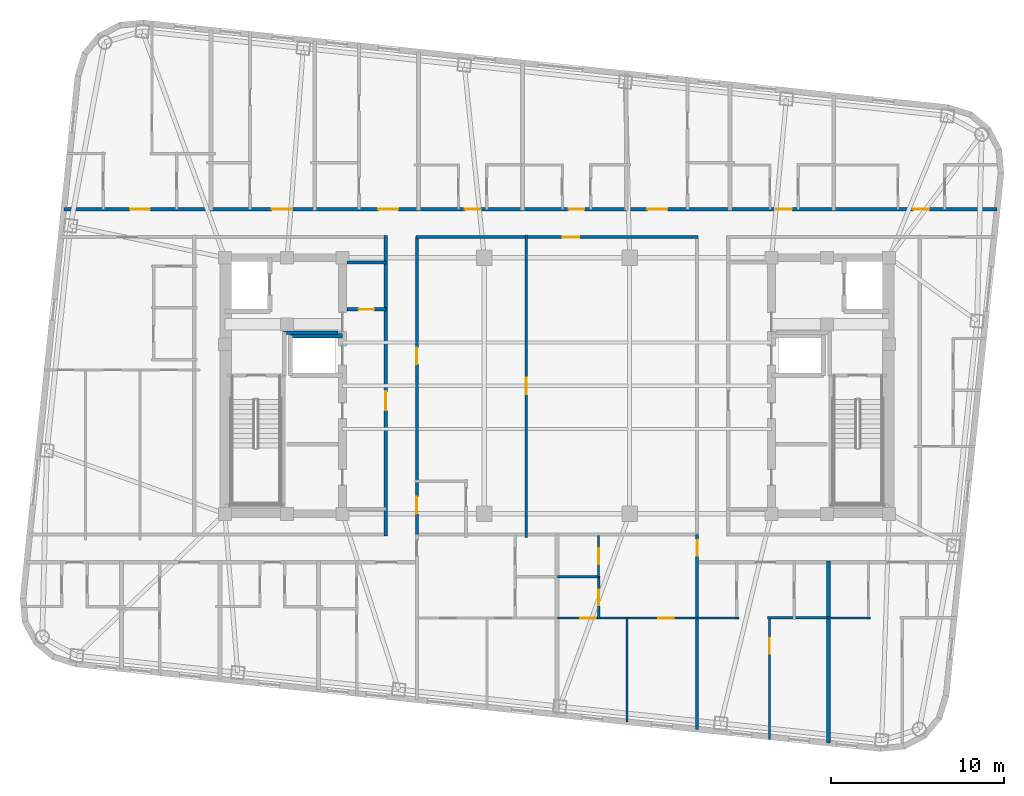
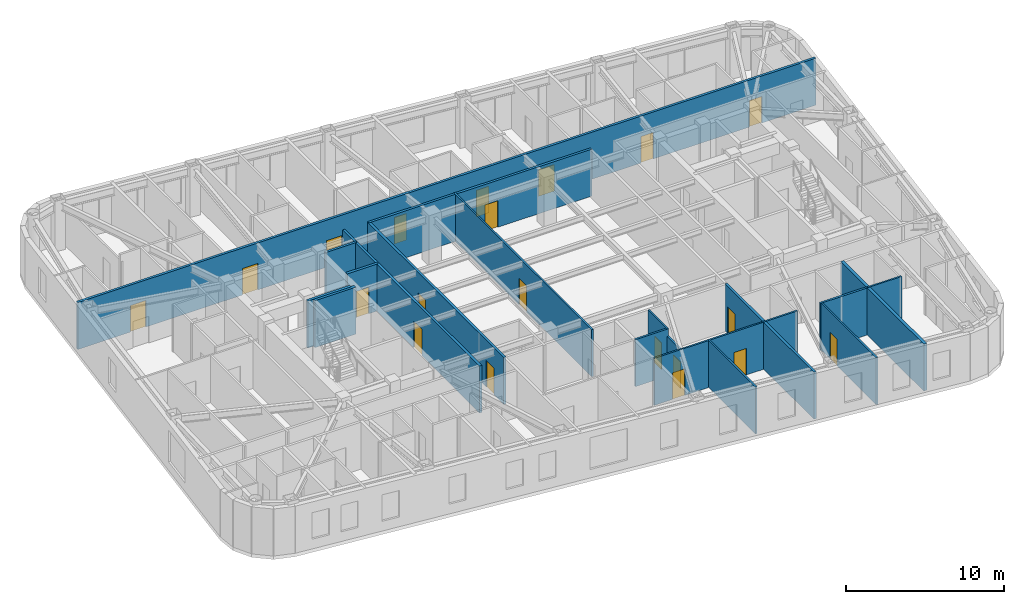
# One storey, part 5 of 11: 20 doors, 20 walls, 20 openings.
"""IFC4 building model written with IfcOpenShell, lengths in metres."""

import ifcopenshell
import ifcopenshell.guid

model = None  # the IFC model being written
_history = None  # IfcOwnerHistory: only IFC2X3 demands one
_inside = {}  # id of a spatial element -> (the spatial element, [elements in it])
_under = {}  # id of a project, library or spatial element -> (it, [spatial elements below it])
_declared = {}  # id of a project -> (the project, [libraries it declares])
_typed = {}  # id of a type object -> (the type object, [elements of that type])
_made_of = {}  # id of a material, layer set ... -> (it, [elements and type objects made of it])


def new_model(schema):
    """Start an empty IFC model of exactly this schema.

    Asked for "IFC4X3", IfcOpenShell would pick the latest addendum, in which some entities
    have other attributes; the version numbers below select the first issue.
    IFC2X3 requires an IfcOwnerHistory on every rooted entity: one is made here for all.
    """
    global model, _history
    if schema == "IFC4X3":
        model = ifcopenshell.file(schema_version=(4, 3, 0, 0))
    else:
        model = ifcopenshell.file(schema=schema)
    _inside.clear()
    _under.clear()
    _declared.clear()
    _typed.clear()
    _made_of.clear()
    _history = None
    if model.schema == "IFC2X3":
        org = make("IfcOrganization", Name="unknown")
        user = make(
            "IfcPersonAndOrganization",
            ThePerson=make("IfcPerson", FamilyName="unknown"),
            TheOrganization=org,
        )
        app = make(
            "IfcApplication",
            ApplicationDeveloper=org,
            Version="unknown",
            ApplicationFullName="unknown",
            ApplicationIdentifier="unknown",
        )
        _history = make(
            "IfcOwnerHistory",
            OwningUser=user,
            OwningApplication=app,
            ChangeAction="ADDED",
            CreationDate=0,
        )
    return model


def make(cls, **values):
    """One entity of the class cls with the attributes given. An attribute that is None is left unset."""
    return model.create_entity(
        cls, **{name: value for name, value in values.items() if value is not None}
    )


def rooted(cls, **values):
    """An entity with a GlobalId (a new one), such as an element, a storey or a relation."""
    return make(cls, GlobalId=ifcopenshell.guid.new(), OwnerHistory=_history, **values)


def si_unit(unit_type, name, prefix=None):
    """IfcSIUnit, for example si_unit("LENGTHUNIT", "METRE", prefix="MILLI")."""
    return make("IfcSIUnit", UnitType=unit_type, Prefix=prefix, Name=name)


def assignment(units):
    """IfcUnitAssignment: the units of a project."""
    return None if units is None else make("IfcUnitAssignment", Units=units)


def point(xyz):
    """IfcCartesianPoint."""
    return None if xyz is None else make("IfcCartesianPoint", Coordinates=xyz)


def direction(xyz):
    """IfcDirection."""
    return None if xyz is None else make("IfcDirection", DirectionRatios=xyz)


def frame(location, z_axis=None, x_axis=None):
    """IfcAxis2Placement3D, a coordinate frame: its origin and axes. An axis left out is left unset."""
    return make(
        "IfcAxis2Placement3D",
        Location=point(location),
        Axis=direction(z_axis),
        RefDirection=direction(x_axis),
    )


def frame_2d(location, x_axis=None):
    """IfcAxis2Placement2D, a coordinate frame in the plane: its origin and x axis."""
    return make(
        "IfcAxis2Placement2D", Location=point(location), RefDirection=direction(x_axis)
    )


def origin():
    """The frame at (0, 0, 0) with its axes left unset."""
    return frame((0.0, 0.0, 0.0))


def place(relative_to, where):
    """IfcLocalPlacement: puts the frame where relative to a parent placement (None: the world)."""
    return make(
        "IfcLocalPlacement", PlacementRelTo=relative_to, RelativePlacement=where
    )


def context(
    kind, dimensions, precision=None, world=None, true_north=None, identifier=None
):
    """IfcGeometricRepresentationContext, for example the 3D "Model" context."""
    return make(
        "IfcGeometricRepresentationContext",
        ContextIdentifier=identifier,
        ContextType=kind,
        CoordinateSpaceDimension=dimensions,
        Precision=precision,
        WorldCoordinateSystem=world,
        TrueNorth=true_north,
    )


def subcontext(parent, identifier, kind, view, scale=None):
    """IfcGeometricRepresentationSubContext, for example "Body" below "Model"."""
    return make(
        "IfcGeometricRepresentationSubContext",
        ContextIdentifier=identifier,
        ContextType=kind,
        ParentContext=parent,
        TargetScale=scale,
        TargetView=view,
    )


def project(units=None, contexts=None):
    """IfcProject with its units and contexts."""
    return rooted(
        "IfcProject",
        Name="project",
        RepresentationContexts=contexts,
        UnitsInContext=assignment(units),
    )


def spatial(cls, under=None, at=None, **own):
    """A site, building, storey or space (cls), placed at a placement, below another one or the project."""
    s = rooted(cls, ObjectPlacement=at, **own)
    if under is not None:
        _under.setdefault(under.id(), (under, []))[1].append(s)
    return s


def profile(cls, at=None, kind="AREA", **sizes):
    """A parametric profile (cls). Its sizes go by their IFC names, for example OverallWidth=200.0."""
    return make(cls, ProfileType=kind, Position=at, **sizes)


def rectangle(**sizes):
    """IfcRectangleProfileDef."""
    return profile("IfcRectangleProfileDef", **sizes)


def extrude(swept, where, along, depth):
    """IfcExtrudedAreaSolid: the profile swept, set in the frame where, extruded along a direction by depth."""
    return make(
        "IfcExtrudedAreaSolid",
        SweptArea=swept,
        Position=where,
        ExtrudedDirection=direction(along),
        Depth=depth,
    )


def shape(context_of_items, identifier, shape_type, items):
    """IfcShapeRepresentation: the items that make up one representation, for example the "Body"."""
    return make(
        "IfcShapeRepresentation",
        ContextOfItems=context_of_items,
        RepresentationIdentifier=identifier,
        RepresentationType=shape_type,
        Items=items,
    )


def material(Name=None, Category=None):
    """IfcMaterial."""
    return make("IfcMaterial", Name=Name, Category=Category)


def layer(
    of_material, thickness, ventilated=None, Name=None, Category=None, Priority=None
):
    """IfcMaterialLayer: one layer of a wall or slab, of a material (None: an air gap)."""
    return make(
        "IfcMaterialLayer",
        Material=of_material,
        LayerThickness=thickness,
        IsVentilated=ventilated,
        Name=Name,
        Category=Category,
        Priority=Priority,
    )


def layer_set(layers, Name=None):
    """IfcMaterialLayerSet."""
    return make("IfcMaterialLayerSet", MaterialLayers=layers, LayerSetName=Name)


def made_of(thing, what):
    """Note that an element or type object is made of a material, layer set ...; save() writes the relation."""
    if what is not None:
        _made_of.setdefault(what.id(), (what, []))[1].append(thing)
    return thing


def type_object(cls, material=None, **own):
    """A type object (cls), such as IfcWallType, which elements share."""
    return made_of(rooted(cls, **own), material)


def element(
    cls,
    number,
    at=None,
    inside=None,
    cuts=None,
    type_object=None,
    material=None,
    context=None,
    identifier="Body",
    shape_type=None,
    held_by="IfcProductDefinitionShape",
    body=None,
    shapes=None,
    **own,
):
    """One element of the class cls, such as IfcWall. Its Tag is "e" and its number.

    at: its placement. inside: the storey or other place that contains it. cuts: it is an
    opening in that element (IfcRelVoidsElement). A single representation is given by context,
    identifier, shape_type and body (its items); several are given by shapes. held_by: the class
    of the entity that holds the representations. save() writes the other relations.
    """
    e = rooted(cls, Tag="e%d" % number, ObjectPlacement=at, **own)
    if body is not None:
        shapes = [shape(context, identifier, shape_type, body)]
    if shapes is not None:
        e.Representation = make(held_by, Representations=shapes)
    if inside is not None:
        _inside.setdefault(inside.id(), (inside, []))[1].append(e)
    if cuts is not None:
        rooted(
            "IfcRelVoidsElement", RelatingBuildingElement=cuts, RelatedOpeningElement=e
        )
    if type_object is not None:
        _typed.setdefault(type_object.id(), (type_object, []))[1].append(e)
    return made_of(e, material)


def fill(opening, filler):
    """IfcRelFillsElement: the door or window that sits in an opening."""
    return rooted(
        "IfcRelFillsElement",
        RelatingOpeningElement=opening,
        RelatedBuildingElement=filler,
    )


def aggregate(whole, parts):
    """IfcRelAggregates: a whole, such as a stair, and the parts it consists of."""
    return rooted("IfcRelAggregates", RelatingObject=whole, RelatedObjects=parts)


def save(model, path):
    """Write the relations noted so far, then the file.

    IfcRelAggregates (storeys below a building ...), IfcRelContainedInSpatialStructure (elements
    in a storey), IfcRelDefinesByType, IfcRelAssociatesMaterial and IfcRelDeclares: one each for
    every whole, place, type object, material and project.
    """
    for whole, parts in _under.values():
        aggregate(whole, parts)
    for where, things in _inside.values():
        rooted(
            "IfcRelContainedInSpatialStructure",
            RelatedElements=things,
            RelatingStructure=where,
        )
    for kind, things in _typed.values():
        rooted("IfcRelDefinesByType", RelatedObjects=things, RelatingType=kind)
    for what, things in _made_of.values():
        rooted("IfcRelAssociatesMaterial", RelatedObjects=things, RelatingMaterial=what)
    for by, libraries in _declared.values():
        rooted("IfcRelDeclares", RelatingContext=by, RelatedDefinitions=libraries)
    model.write(path)


model = new_model("IFC4")

# Units and contexts
model_context = context("Model", 3, precision=1e-05, world=origin(), true_north=direction((0.0, 1.0)))
body_context = subcontext(model_context, "Body", "Model", "MODEL_VIEW")
ifc_project = project(units=[si_unit("LENGTHUNIT", "METRE"), si_unit("AREAUNIT", "SQUARE_METRE"), si_unit("VOLUMEUNIT", "CUBIC_METRE"), si_unit("PLANEANGLEUNIT", "RADIAN"), si_unit("MASSUNIT", "GRAM", prefix="KILO")], contexts=[model_context])

# Site, building, storey
site_placement = place(None, origin())
site = spatial("IfcSite", under=ifc_project, at=site_placement, CompositionType="ELEMENT")
building_placement = place(site_placement, origin())
building = spatial("IfcBuilding", under=site, at=building_placement, Name="Voryun Gate Residences", CompositionType="ELEMENT")
storey_placement = place(building_placement, frame((0.0, 0.0, 295.10009765625)))
storey = spatial("IfcBuildingStorey", under=building, at=storey_placement, Name="L73", CompositionType="ELEMENT", Elevation=295.10009765625)

# Wall
ifc_material_1 = material(Name="Gypsum acoustic fireboard")
ifc_layer_1 = layer(ifc_material_1, 0.179931640625, Name="W_CORR_RATED_180")
ifc_layer_set_1 = layer_set([ifc_layer_1], Name="Gypsum acoustic fireboard")
wall_type_1 = type_object("IfcWallType", Name="W_CORR_RATED_180", PredefinedType="PARTITIONING", material=ifc_layer_set_1)
wall_1_placement = place(storey_placement, frame((-12.14990234375, 7.1201171875, 0.0), z_axis=(0.0, 0.0, 1.0), x_axis=(1.0, 0.0, 0.0)))
element("IfcWall", 1, at=wall_1_placement, inside=storey, type_object=wall_type_1, Name="Partition wall WP-L73-PLBN-W", PredefinedType="PARTITIONING", context=body_context, shape_type="SweptSolid", body=[
    extrude(rectangle(XDim=2.27001953125, YDim=0.179931640625, at=frame_2d((1.135009765625, 0.0))), origin(), (0.0, 0.0, 1.0), 3.635009765625),
])

# Wall, opening, door
wall_2_placement = place(storey_placement, frame((-9.89990234375, -8.679931640625, 0.0), z_axis=(0.0, 0.0, 1.0), x_axis=(0.0, 1.0, 0.0)))
wall_2 = element("IfcWall", 2, at=wall_2_placement, inside=storey, type_object=wall_type_1, Name="Partition wall WP-L73-PLBW-FULL", PredefinedType="PARTITIONING", context=body_context, shape_type="SweptSolid", body=[
    extrude(rectangle(XDim=17.35986328125, YDim=0.179931640625, at=frame_2d((8.679931640625, 0.0))), origin(), (0.0, 0.0, 1.0), 3.635009765625),
])
opening_1_placement = place(wall_2_placement, frame((7.261962890625, 0.0, 0.0)))
opening_1 = element("IfcOpeningElement", 3, at=opening_1_placement, cuts=wall_2, Name="Opening D-FD60-2", PredefinedType="OPENING", context=body_context, shape_type="SweptSolid", body=[
    extrude(rectangle(XDim=1.10009765625, YDim=2.050048828125, at=frame_2d((0.550048828125, 1.02490234375))), frame((0.0, 0.099853515625, 0.0), z_axis=(0.0, -1.0, 0.0), x_axis=(1.0, 0.0, 0.0)), (0.0, 0.0, 1.0), 0.199951171875),
])
ifc_material_2 = material(Name="Painted steel fire door", Category="steel")
door_type_1 = type_object("IfcDoorType", Name="DR_FD60_FFLOB_1100", OperationType="NOTDEFINED", PredefinedType="DOOR", material=ifc_material_2)
door_1_placement = place(opening_1_placement, origin())
door_1 = element("IfcDoor", 4, at=door_1_placement, inside=storey, type_object=door_type_1, Name="Door DR-L73-PLBW-COR", OperationType="SINGLE_SWING_LEFT", OverallHeight=2.050048828125, OverallWidth=1.10009765625, PredefinedType="DOOR", context=body_context, shape_type="SweptSolid", body=[
    extrude(rectangle(XDim=1.10009765625, YDim=2.050048828125, at=frame_2d((0.550048828125, 1.02490234375))), frame((0.0, 0.02490234375, 0.0), z_axis=(0.0, -1.0, 0.0), x_axis=(1.0, 0.0, 0.0)), (0.0, 0.0, 1.0), 0.050048828125),
])
fill(opening_1, door_1)

wall_3_placement = place(storey_placement, frame((-8.14990234375, 8.590087890625, 0.0), z_axis=(0.0, 0.0, 1.0), x_axis=(1.0, 0.0, 0.0)))
wall_3 = element("IfcWall", 5, at=wall_3_placement, inside=storey, type_object=wall_type_1, Name="Partition wall WP-L73-Z3N", PredefinedType="PARTITIONING", context=body_context, shape_type="SweptSolid", body=[
    extrude(rectangle(XDim=16.2998046875, YDim=0.179931640625, at=frame_2d((8.14990234375, 0.0))), origin(), (0.0, 0.0, 1.0), 3.635009765625),
])
opening_2_placement = place(wall_3_placement, frame((8.489990234375, 0.0, 0.0)))
opening_2 = element("IfcOpeningElement", 6, at=opening_2_placement, cuts=wall_3, Name="Opening D-INT-1", PredefinedType="OPENING", context=body_context, shape_type="SweptSolid", body=[
    extrude(rectangle(XDim=0.949951171875, YDim=2.050048828125, at=frame_2d((0.47509765625, 1.02490234375))), frame((0.0, 0.099853515625, 0.0), z_axis=(0.0, -1.0, 0.0), x_axis=(1.0, 0.0, 0.0)), (0.0, 0.0, 1.0), 0.199951171875),
])
ifc_material_3 = material(Name="Architectural oak veneer")
door_type_2 = type_object("IfcDoorType", Name="DR_INT_ROOM_950", OperationType="NOTDEFINED", PredefinedType="DOOR", material=ifc_material_3)
door_2_placement = place(opening_2_placement, origin())
door_2 = element("IfcDoor", 7, at=door_2_placement, inside=storey, type_object=door_type_2, Name="Door DR-L73-CMIDZ3N", OperationType="SINGLE_SWING_LEFT", OverallHeight=2.050048828125, OverallWidth=0.949951171875, PredefinedType="DOOR", context=body_context, shape_type="SweptSolid", body=[
    extrude(rectangle(XDim=0.949951171875, YDim=2.050048828125, at=frame_2d((0.47509765625, 1.02490234375))), frame((0.0, 0.02490234375, 0.0), z_axis=(0.0, -1.0, 0.0), x_axis=(1.0, 0.0, 0.0)), (0.0, 0.0, 1.0), 0.050048828125),
])
fill(opening_2, door_2)

# Wall, openings, doors
wall_4_placement = place(storey_placement, frame((-8.10009765625, -8.6298828125, 0.0), z_axis=(0.0, 0.0, 1.0), x_axis=(0.0, 1.0, 0.0)))
wall_4 = element("IfcWall", 8, at=wall_4_placement, inside=storey, type_object=wall_type_1, Name="Partition wall WP-L73-Z3W", PredefinedType="PARTITIONING", context=body_context, shape_type="SweptSolid", body=[
    extrude(rectangle(XDim=17.259765625, YDim=0.179931640625, at=frame_2d((8.6298828125, 0.0))), origin(), (0.0, 0.0, 1.0), 3.635009765625),
])
opening_3_placement = place(wall_4_placement, frame((1.22607421875, 0.0, 0.0)))
opening_3 = element("IfcOpeningElement", 9, at=opening_3_placement, cuts=wall_4, Name="Opening D-AWC-1", PredefinedType="OPENING", context=body_context, shape_type="SweptSolid", body=[
    extrude(rectangle(XDim=1.0, YDim=2.050048828125, at=frame_2d((0.5, 1.02490234375))), frame((0.0, 0.099853515625, 0.0), z_axis=(0.0, -1.0, 0.0), x_axis=(1.0, 0.0, 0.0)), (0.0, 0.0, 1.0), 0.199951171875),
])
opening_4_placement = place(wall_4_placement, frame((9.881103515625, 0.0, 0.0)))
opening_4 = element("IfcOpeningElement", 10, at=opening_4_placement, cuts=wall_4, Name="Opening D-INT-1", PredefinedType="OPENING", context=body_context, shape_type="SweptSolid", body=[
    extrude(rectangle(XDim=0.949951171875, YDim=2.050048828125, at=frame_2d((0.47509765625, 1.02490234375))), frame((0.0, 0.099853515625, 0.0), z_axis=(0.0, -1.0, 0.0), x_axis=(1.0, 0.0, 0.0)), (0.0, 0.0, 1.0), 0.199951171875),
])
ifc_material_4 = material(Name="Architectural oak veneer")
door_type_3 = type_object("IfcDoorType", Name="DR_ACC_WC_1000", OperationType="NOTDEFINED", PredefinedType="DOOR", material=ifc_material_4)
door_3_placement = place(opening_3_placement, origin())
door_3 = element("IfcDoor", 11, at=door_3_placement, inside=storey, type_object=door_type_3, Name="Door DR-L73-CMWC-D", OperationType="SINGLE_SWING_LEFT", OverallHeight=2.050048828125, OverallWidth=1.0, PredefinedType="DOOR", context=body_context, shape_type="SweptSolid", body=[
    extrude(rectangle(XDim=1.0, YDim=2.050048828125, at=frame_2d((0.5, 1.02490234375))), frame((0.0, 0.02490234375, 0.0), z_axis=(0.0, -1.0, 0.0), x_axis=(1.0, 0.0, 0.0)), (0.0, 0.0, 1.0), 0.050048828125),
])
fill(opening_3, door_3)
door_4_placement = place(opening_4_placement, origin())
door_4 = element("IfcDoor", 12, at=door_4_placement, inside=storey, type_object=door_type_2, Name="Door DR-L73-CMIDZ3W", OperationType="SINGLE_SWING_RIGHT", OverallHeight=2.050048828125, OverallWidth=0.949951171875, PredefinedType="DOOR", context=body_context, shape_type="SweptSolid", body=[
    extrude(rectangle(XDim=0.949951171875, YDim=2.050048828125, at=frame_2d((0.47509765625, 1.02490234375))), frame((0.0, 0.02490234375, 0.0), z_axis=(0.0, -1.0, 0.0), x_axis=(1.0, 0.0, 0.0)), (0.0, 0.0, 1.0), 0.050048828125),
])
fill(opening_4, door_4)

wall_5_placement = place(storey_placement, frame((-28.505615234375, 10.199951171875, 0.0), z_axis=(0.0, 0.0, 1.0), x_axis=(1.0, 0.0, 0.0)))
wall_5 = element("IfcWall", 13, at=wall_5_placement, inside=storey, type_object=wall_type_1, Name="Partition wall WP-L73-NCORR", PredefinedType="PARTITIONING", context=body_context, shape_type="SweptSolid", body=[
    extrude(rectangle(XDim=53.95556640625, YDim=0.179931640625, at=frame_2d((26.977783203125, 0.0))), origin(), (0.0, 0.0, 1.0), 3.635009765625),
])
opening_5_placement = place(wall_5_placement, frame((3.827880859375, 0.0, 0.0)))
opening_5 = element("IfcOpeningElement", 14, at=opening_5_placement, cuts=wall_5, Name="Opening D-UNIT-1", PredefinedType="OPENING", context=body_context, shape_type="SweptSolid", body=[
    extrude(rectangle(XDim=1.14990234375, YDim=2.050048828125, at=frame_2d((0.574951171875, 1.02490234375))), frame((0.0, 0.099853515625, 0.0), z_axis=(0.0, -1.0, 0.0), x_axis=(1.0, 0.0, 0.0)), (0.0, 0.0, 1.0), 0.199951171875),
])
opening_6_placement = place(wall_5_placement, frame((12.029052734375, 0.0, 0.0)))
opening_6 = element("IfcOpeningElement", 15, at=opening_6_placement, cuts=wall_5, Name="Opening D-UNIT-1", PredefinedType="OPENING", context=body_context, shape_type="SweptSolid", body=[
    extrude(rectangle(XDim=1.14990234375, YDim=2.050048828125, at=frame_2d((0.574951171875, 1.02490234375))), frame((0.0, 0.099853515625, 0.0), z_axis=(0.0, -1.0, 0.0), x_axis=(1.0, 0.0, 0.0)), (0.0, 0.0, 1.0), 0.199951171875),
])
opening_7_placement = place(wall_5_placement, frame((18.174560546875, 0.0, 0.0)))
opening_7 = element("IfcOpeningElement", 16, at=opening_7_placement, cuts=wall_5, Name="Opening D-UNIT-1", PredefinedType="OPENING", context=body_context, shape_type="SweptSolid", body=[
    extrude(rectangle(XDim=1.14990234375, YDim=2.050048828125, at=frame_2d((0.574951171875, 1.02490234375))), frame((0.0, 0.099853515625, 0.0), z_axis=(0.0, -1.0, 0.0), x_axis=(1.0, 0.0, 0.0)), (0.0, 0.0, 1.0), 0.199951171875),
])
opening_8_placement = place(wall_5_placement, frame((23.1826171875, 0.0, 0.0)))
opening_8 = element("IfcOpeningElement", 17, at=opening_8_placement, cuts=wall_5, Name="Opening D-INT-2", PredefinedType="OPENING", context=body_context, shape_type="SweptSolid", body=[
    extrude(rectangle(XDim=0.89990234375, YDim=2.050048828125, at=frame_2d((0.449951171875, 1.02490234375))), frame((0.0, 0.099853515625, 0.0), z_axis=(0.0, -1.0, 0.0), x_axis=(1.0, 0.0, 0.0)), (0.0, 0.0, 1.0), 0.199951171875),
])
opening_9_placement = place(wall_5_placement, frame((29.182373046875, 0.0, 0.0)))
opening_9 = element("IfcOpeningElement", 18, at=opening_9_placement, cuts=wall_5, Name="Opening D-INT-2", PredefinedType="OPENING", context=body_context, shape_type="SweptSolid", body=[
    extrude(rectangle(XDim=0.89990234375, YDim=2.050048828125, at=frame_2d((0.449951171875, 1.02490234375))), frame((0.0, 0.099853515625, 0.0), z_axis=(0.0, -1.0, 0.0), x_axis=(1.0, 0.0, 0.0)), (0.0, 0.0, 1.0), 0.199951171875),
])
opening_10_placement = place(wall_5_placement, frame((33.7353515625, 0.0, 0.0)))
opening_10 = element("IfcOpeningElement", 19, at=opening_10_placement, cuts=wall_5, Name="Opening D-UNIT-1", PredefinedType="OPENING", context=body_context, shape_type="SweptSolid", body=[
    extrude(rectangle(XDim=1.14990234375, YDim=2.050048828125, at=frame_2d((0.574951171875, 1.02490234375))), frame((0.0, 0.099853515625, 0.0), z_axis=(0.0, -1.0, 0.0), x_axis=(1.0, 0.0, 0.0)), (0.0, 0.0, 1.0), 0.199951171875),
])
opening_11_placement = place(wall_5_placement, frame((41.18212890625, 0.0, 0.0)))
opening_11 = element("IfcOpeningElement", 20, at=opening_11_placement, cuts=wall_5, Name="Opening D-INT-2", PredefinedType="OPENING", context=body_context, shape_type="SweptSolid", body=[
    extrude(rectangle(XDim=0.89990234375, YDim=2.050048828125, at=frame_2d((0.449951171875, 1.02490234375))), frame((0.0, 0.099853515625, 0.0), z_axis=(0.0, -1.0, 0.0), x_axis=(1.0, 0.0, 0.0)), (0.0, 0.0, 1.0), 0.199951171875),
])
opening_12_placement = place(wall_5_placement, frame((49.113525390625, 0.0, 0.0)))
opening_12 = element("IfcOpeningElement", 21, at=opening_12_placement, cuts=wall_5, Name="Opening D-INT-2", PredefinedType="OPENING", context=body_context, shape_type="SweptSolid", body=[
    extrude(rectangle(XDim=0.89990234375, YDim=2.050048828125, at=frame_2d((0.449951171875, 1.02490234375))), frame((0.0, 0.099853515625, 0.0), z_axis=(0.0, -1.0, 0.0), x_axis=(1.0, 0.0, 0.0)), (0.0, 0.0, 1.0), 0.199951171875),
])
ifc_material_5 = material(Name="Architectural oak veneer")
door_type_4 = type_object("IfcDoorType", Name="DR_INT_BATH_900", OperationType="NOTDEFINED", PredefinedType="DOOR", material=ifc_material_5)
door_5_placement = place(opening_8_placement, origin())
door_5 = element("IfcDoor", 22, at=door_5_placement, inside=storey, type_object=door_type_4, Name="Door DR-L73-NENT-4", OperationType="SINGLE_SWING_RIGHT", OverallHeight=2.050048828125, OverallWidth=0.89990234375, PredefinedType="DOOR", context=body_context, shape_type="SweptSolid", body=[
    extrude(rectangle(XDim=0.89990234375, YDim=2.050048828125, at=frame_2d((0.449951171875, 1.02490234375))), frame((0.0, 0.02490234375, 0.0), z_axis=(0.0, -1.0, 0.0), x_axis=(1.0, 0.0, 0.0)), (0.0, 0.0, 1.0), 0.050048828125),
])
fill(opening_8, door_5)
door_6_placement = place(opening_9_placement, origin())
door_6 = element("IfcDoor", 23, at=door_6_placement, inside=storey, type_object=door_type_4, Name="Door DR-L73-NENT-5", OperationType="SINGLE_SWING_LEFT", OverallHeight=2.050048828125, OverallWidth=0.89990234375, PredefinedType="DOOR", context=body_context, shape_type="SweptSolid", body=[
    extrude(rectangle(XDim=0.89990234375, YDim=2.050048828125, at=frame_2d((0.449951171875, 1.02490234375))), frame((0.0, 0.02490234375, 0.0), z_axis=(0.0, -1.0, 0.0), x_axis=(1.0, 0.0, 0.0)), (0.0, 0.0, 1.0), 0.050048828125),
])
fill(opening_9, door_6)
door_7_placement = place(opening_11_placement, origin())
door_7 = element("IfcDoor", 24, at=door_7_placement, inside=storey, type_object=door_type_4, Name="Door DR-L73-NENT-7", OperationType="SINGLE_SWING_LEFT", OverallHeight=2.050048828125, OverallWidth=0.89990234375, PredefinedType="DOOR", context=body_context, shape_type="SweptSolid", body=[
    extrude(rectangle(XDim=0.89990234375, YDim=2.050048828125, at=frame_2d((0.449951171875, 1.02490234375))), frame((0.0, 0.02490234375, 0.0), z_axis=(0.0, -1.0, 0.0), x_axis=(1.0, 0.0, 0.0)), (0.0, 0.0, 1.0), 0.050048828125),
])
fill(opening_11, door_7)
door_8_placement = place(opening_12_placement, origin())
door_8 = element("IfcDoor", 25, at=door_8_placement, inside=storey, type_object=door_type_4, Name="Door DR-L73-NENT-8", OperationType="SINGLE_SWING_RIGHT", OverallHeight=2.050048828125, OverallWidth=0.89990234375, PredefinedType="DOOR", context=body_context, shape_type="SweptSolid", body=[
    extrude(rectangle(XDim=0.89990234375, YDim=2.050048828125, at=frame_2d((0.449951171875, 1.02490234375))), frame((0.0, 0.02490234375, 0.0), z_axis=(0.0, -1.0, 0.0), x_axis=(1.0, 0.0, 0.0)), (0.0, 0.0, 1.0), 0.050048828125),
])
fill(opening_12, door_8)
ifc_material_6 = material(Name="Armoured timber-clad fire door", Category="wood")
door_type_5 = type_object("IfcDoorType", Name="DR_UNIT_ENTRY_1150", OperationType="NOTDEFINED", PredefinedType="DOOR", material=ifc_material_6)
door_9_placement = place(opening_5_placement, origin())
door_9 = element("IfcDoor", 26, at=door_9_placement, inside=storey, type_object=door_type_5, Name="Door DR-L73-NENT-1", OperationType="SINGLE_SWING_LEFT", OverallHeight=2.050048828125, OverallWidth=1.14990234375, PredefinedType="DOOR", context=body_context, shape_type="SweptSolid", body=[
    extrude(rectangle(XDim=1.14990234375, YDim=2.050048828125, at=frame_2d((0.574951171875, 1.02490234375))), frame((0.0, 0.02490234375, 0.0), z_axis=(0.0, -1.0, 0.0), x_axis=(1.0, 0.0, 0.0)), (0.0, 0.0, 1.0), 0.050048828125),
])
fill(opening_5, door_9)
door_10_placement = place(opening_6_placement, origin())
door_10 = element("IfcDoor", 27, at=door_10_placement, inside=storey, type_object=door_type_5, Name="Door DR-L73-NENT-2", OperationType="SINGLE_SWING_RIGHT", OverallHeight=2.050048828125, OverallWidth=1.14990234375, PredefinedType="DOOR", context=body_context, shape_type="SweptSolid", body=[
    extrude(rectangle(XDim=1.14990234375, YDim=2.050048828125, at=frame_2d((0.574951171875, 1.02490234375))), frame((0.0, 0.02490234375, 0.0), z_axis=(0.0, -1.0, 0.0), x_axis=(1.0, 0.0, 0.0)), (0.0, 0.0, 1.0), 0.050048828125),
])
fill(opening_6, door_10)
door_11_placement = place(opening_7_placement, origin())
door_11 = element("IfcDoor", 28, at=door_11_placement, inside=storey, type_object=door_type_5, Name="Door DR-L73-NENT-3", OperationType="SINGLE_SWING_LEFT", OverallHeight=2.050048828125, OverallWidth=1.14990234375, PredefinedType="DOOR", context=body_context, shape_type="SweptSolid", body=[
    extrude(rectangle(XDim=1.14990234375, YDim=2.050048828125, at=frame_2d((0.574951171875, 1.02490234375))), frame((0.0, 0.02490234375, 0.0), z_axis=(0.0, -1.0, 0.0), x_axis=(1.0, 0.0, 0.0)), (0.0, 0.0, 1.0), 0.050048828125),
])
fill(opening_7, door_11)
door_12_placement = place(opening_10_placement, origin())
door_12 = element("IfcDoor", 29, at=door_12_placement, inside=storey, type_object=door_type_5, Name="Door DR-L73-NENT-6", OperationType="SINGLE_SWING_RIGHT", OverallHeight=2.050048828125, OverallWidth=1.14990234375, PredefinedType="DOOR", context=body_context, shape_type="SweptSolid", body=[
    extrude(rectangle(XDim=1.14990234375, YDim=2.050048828125, at=frame_2d((0.574951171875, 1.02490234375))), frame((0.0, 0.02490234375, 0.0), z_axis=(0.0, -1.0, 0.0), x_axis=(1.0, 0.0, 0.0)), (0.0, 0.0, 1.0), 0.050048828125),
])
fill(opening_10, door_12)

# Wall, opening, door
wall_6_placement = place(storey_placement, frame((8.10009765625, -19.857177734375, 0.0), z_axis=(0.0, 0.0, 1.0), x_axis=(0.0, 1.0, 0.0)))
wall_6 = element("IfcWall", 30, at=wall_6_placement, inside=storey, type_object=wall_type_1, Name="Partition wall WP-L73-SZV-2", PredefinedType="PARTITIONING", context=body_context, shape_type="SweptSolid", body=[
    extrude(rectangle(XDim=11.26708984375, YDim=0.179931640625, at=frame_2d((5.633544921875, 0.0))), origin(), (0.0, 0.0, 1.0), 3.635009765625),
])
opening_13_placement = place(wall_6_placement, frame((10.01708984375, 0.0, 0.0)))
opening_13 = element("IfcOpeningElement", 31, at=opening_13_placement, cuts=wall_6, Name="Opening D-INT-2", PredefinedType="OPENING", context=body_context, shape_type="SweptSolid", body=[
    extrude(rectangle(XDim=0.89990234375, YDim=2.050048828125, at=frame_2d((0.449951171875, 1.02490234375))), frame((0.0, 0.099853515625, 0.0), z_axis=(0.0, -1.0, 0.0), x_axis=(1.0, 0.0, 0.0)), (0.0, 0.0, 1.0), 0.199951171875),
])
door_13_placement = place(opening_13_placement, origin())
door_13 = element("IfcDoor", 32, at=door_13_placement, inside=storey, type_object=door_type_4, Name="Door DR-L73-SZENT-2", OperationType="SINGLE_SWING_RIGHT", OverallHeight=2.050048828125, OverallWidth=0.89990234375, PredefinedType="DOOR", context=body_context, shape_type="SweptSolid", body=[
    extrude(rectangle(XDim=0.89990234375, YDim=2.050048828125, at=frame_2d((0.449951171875, 1.02490234375))), frame((0.0, 0.02490234375, 0.0), z_axis=(0.0, -1.0, 0.0), x_axis=(1.0, 0.0, 0.0)), (0.0, 0.0, 1.0), 0.050048828125),
])
fill(opening_13, door_13)

# Wall
ifc_material_7 = material(Name="Concrete C40/50", Category="concrete")
ifc_layer_2 = layer(ifc_material_7, 0.199951171875, Name="W_FF_LOBBY_200")
ifc_layer_set_2 = layer_set([ifc_layer_2], Name="Concrete C40/50")
wall_type_2 = type_object("IfcWallType", Name="W_FF_LOBBY_200", PredefinedType="PARTITIONING", material=ifc_layer_set_2)
wall_7_placement = place(storey_placement, frame((-15.820068359375, 3.06005859375, 0.0), z_axis=(0.0, 0.0, 1.0), x_axis=(1.0, 0.0, 0.0)))
element("IfcWall", 33, at=wall_7_placement, inside=storey, type_object=wall_type_2, Name="Partition wall WP-L73-FFPS-W", PredefinedType="PARTITIONING", context=body_context, shape_type="SweptSolid", body=[
    extrude(rectangle(XDim=3.16015625, YDim=0.199951171875, at=frame_2d((1.580078125, 0.0))), origin(), (0.0, 0.0, 1.0), 3.635009765625),
])

# Wall, opening, door
wall_8_placement = place(storey_placement, frame((-12.14990234375, 4.409912109375, 0.0), z_axis=(0.0, 0.0, 1.0), x_axis=(1.0, 0.0, 0.0)))
wall_8 = element("IfcWall", 34, at=wall_8_placement, inside=storey, type_object=wall_type_2, Name="Partition wall WP-L73-CSFLKS-W", PredefinedType="PARTITIONING", context=body_context, shape_type="SweptSolid", body=[
    extrude(rectangle(XDim=2.27001953125, YDim=0.199951171875, at=frame_2d((1.135009765625, 0.0))), origin(), (0.0, 0.0, 1.0), 3.635009765625),
])
opening_14_placement = place(wall_8_placement, frame((0.68505859375, 0.0, 0.0)))
opening_14 = element("IfcOpeningElement", 35, at=opening_14_placement, cuts=wall_8, Name="Opening D-FD60-4", PredefinedType="OPENING", context=body_context, shape_type="SweptSolid", body=[
    extrude(rectangle(XDim=0.89990234375, YDim=2.050048828125, at=frame_2d((0.449951171875, 1.02490234375))), frame((0.0, 0.110107421875, 0.0), z_axis=(0.0, -1.0, 0.0), x_axis=(1.0, 0.0, 0.0)), (0.0, 0.0, 1.0), 0.219970703125),
])
ifc_material_8 = material(Name="Painted steel fire door", Category="steel")
door_type_6 = type_object("IfcDoorType", Name="DR_FD60_RISER_900", OperationType="NOTDEFINED", PredefinedType="DOOR", material=ifc_material_8)
door_14_placement = place(opening_14_placement, origin())
door_14 = element("IfcDoor", 36, at=door_14_placement, inside=storey, type_object=door_type_6, Name="Door DR-L73-CSFLK-W", OperationType="SINGLE_SWING_LEFT", OverallHeight=2.050048828125, OverallWidth=0.89990234375, PredefinedType="DOOR", context=body_context, shape_type="SweptSolid", body=[
    extrude(rectangle(XDim=0.89990234375, YDim=2.050048828125, at=frame_2d((0.449951171875, 1.02490234375))), frame((0.0, 0.02490234375, 0.0), z_axis=(0.0, -1.0, 0.0), x_axis=(1.0, 0.0, 0.0)), (0.0, 0.0, 1.0), 0.050048828125),
])
fill(opening_14, door_14)

# Walls
ifc_material_9 = material(Name="Concrete C40/50", Category="concrete")
ifc_layer_3 = layer(ifc_material_9, 0.219970703125, Name="W_PARTY_ACOUSTIC_220")
ifc_layer_set_3 = layer_set([ifc_layer_3], Name="Concrete C40/50")
wall_type_3 = type_object("IfcWallType", Name="W_PARTY_ACOUSTIC_220", PredefinedType="PARTITIONING", material=ifc_layer_set_3)
wall_9_placement = place(storey_placement, frame((15.695068359375, -20.655517578125, 0.0), z_axis=(0.0, 0.0, 1.0), x_axis=(0.0, 1.0, 0.0)))
element("IfcWall", 37, at=wall_9_placement, inside=storey, type_object=wall_type_3, Name="Partition wall WP-L73-SPTY-6", PredefinedType="PARTITIONING", context=body_context, shape_type="SweptSolid", body=[
    extrude(rectangle(XDim=10.535400390625, YDim=0.219970703125, at=frame_2d((5.267578125, 0.0))), origin(), (0.0, 0.0, 1.0), 3.635009765625),
])
ifc_material_10 = material(Name="Concrete C50/60", Category="concrete")
ifc_layer_4 = layer(ifc_material_10, 0.25, Name="W_SHAFT_RC250")
ifc_layer_set_4 = layer_set([ifc_layer_4], Name="Concrete C50/60")
wall_type_4 = type_object("IfcWallType", Name="W_SHAFT_RC250", PredefinedType="SOLIDWALL", material=ifc_layer_set_4)
wall_10_placement = place(storey_placement, frame((-12.39990234375, 2.89990234375, 0.0), z_axis=(0.0, 0.0, 1.0), x_axis=(-1.0, 0.0, 0.0)))
element("IfcWall", 38, at=wall_10_placement, inside=storey, type_object=wall_type_4, Name="Lift shaft wall WSH-L73-EL-P7-N", PredefinedType="SOLIDWALL", context=body_context, shape_type="SweptSolid", body=[
    extrude(rectangle(XDim=3.0, YDim=0.25, at=frame_2d((1.5, 0.0))), origin(), (0.0, 0.0, 1.0), 3.635009765625),
])

# Wall, opening, door
ifc_material_11 = material(Name="Gypsum acoustic partition")
ifc_layer_5 = layer(ifc_material_11, 0.125, Name="W_UNIT_PART_125")
ifc_layer_set_5 = layer_set([ifc_layer_5], Name="Gypsum acoustic partition")
wall_type_5 = type_object("IfcWallType", Name="W_UNIT_PART_125", PredefinedType="PARTITIONING", material=ifc_layer_set_5)
wall_11_placement = place(storey_placement, frame((-1.77294921875, -8.77001953125, 0.0), z_axis=(0.0, 0.0, 1.0), x_axis=(0.0, 1.0, 0.0)))
wall_11 = element("IfcWall", 39, at=wall_11_placement, inside=storey, type_object=wall_type_5, Name="Partition wall WP-L73-MIDX-0", PredefinedType="PARTITIONING", context=body_context, shape_type="SweptSolid", body=[
    extrude(rectangle(XDim=17.489990234375, YDim=0.125, at=frame_2d((8.7451171875, 0.0))), origin(), (0.0, 0.0, 1.0), 3.635009765625),
])
opening_15_placement = place(wall_11_placement, frame((8.27001953125, 0.0, 0.0)))
opening_15 = element("IfcOpeningElement", 40, at=opening_15_placement, cuts=wall_11, Name="Opening D-INT-1", PredefinedType="OPENING", context=body_context, shape_type="SweptSolid", body=[
    extrude(rectangle(XDim=0.949951171875, YDim=2.050048828125, at=frame_2d((0.47509765625, 1.02490234375))), frame((0.0, 0.072509765625, 0.0), z_axis=(0.0, -1.0, 0.0), x_axis=(1.0, 0.0, 0.0)), (0.0, 0.0, 1.0), 0.14501953125),
])
door_15_placement = place(opening_15_placement, origin())
door_15 = element("IfcDoor", 41, at=door_15_placement, inside=storey, type_object=door_type_2, Name="Door DR-L73-MIDX-0", OperationType="SINGLE_SWING_LEFT", OverallHeight=2.050048828125, OverallWidth=0.949951171875, PredefinedType="DOOR", context=body_context, shape_type="SweptSolid", body=[
    extrude(rectangle(XDim=0.949951171875, YDim=2.050048828125, at=frame_2d((0.47509765625, 1.02490234375))), frame((0.0, 0.02490234375, 0.0), z_axis=(0.0, -1.0, 0.0), x_axis=(1.0, 0.0, 0.0)), (0.0, 0.0, 1.0), 0.050048828125),
])
fill(opening_15, door_15)

wall_12_placement = place(storey_placement, frame((12.284912109375, -20.447998046875, 0.0), z_axis=(0.0, 0.0, 1.0), x_axis=(0.0, 1.0, 0.0)))
wall_12 = element("IfcWall", 42, at=wall_12_placement, inside=storey, type_object=wall_type_5, Name="Partition wall WP-L73-S6-OVR", PredefinedType="PARTITIONING", context=body_context, shape_type="SweptSolid", body=[
    extrude(rectangle(XDim=7.10791015625, YDim=0.125, at=frame_2d((3.553955078125, 0.0))), origin(), (0.0, 0.0, 1.0), 3.635009765625),
])
opening_16_placement = place(wall_12_placement, frame((4.951904296875, 0.0, 0.0)))
opening_16 = element("IfcOpeningElement", 43, at=opening_16_placement, cuts=wall_12, Name="Opening D-INT-2", PredefinedType="OPENING", context=body_context, shape_type="SweptSolid", body=[
    extrude(rectangle(XDim=0.89990234375, YDim=2.050048828125, at=frame_2d((0.449951171875, 1.02490234375))), frame((0.0, 0.072509765625, 0.0), z_axis=(0.0, -1.0, 0.0), x_axis=(1.0, 0.0, 0.0)), (0.0, 0.0, 1.0), 0.14501953125),
])
door_16_placement = place(opening_16_placement, origin())
door_16 = element("IfcDoor", 44, at=door_16_placement, inside=storey, type_object=door_type_4, Name="Door DR-L73-S6-DMB", OperationType="SINGLE_SWING_RIGHT", OverallHeight=2.050048828125, OverallWidth=0.89990234375, PredefinedType="DOOR", context=body_context, shape_type="SweptSolid", body=[
    extrude(rectangle(XDim=0.89990234375, YDim=2.050048828125, at=frame_2d((0.449951171875, 1.02490234375))), frame((0.0, 0.02490234375, 0.0), z_axis=(0.0, -1.0, 0.0), x_axis=(1.0, 0.0, 0.0)), (0.0, 0.0, 1.0), 0.050048828125),
])
fill(opening_16, door_16)

# Walls
wall_13_placement = place(storey_placement, frame((7.887451171875, -13.419921875, 0.0), z_axis=(0.0, 0.0, 1.0), x_axis=(1.0, 0.0, 0.0)))
element("IfcWall", 45, at=wall_13_placement, inside=storey, type_object=wall_type_5, Name="Partition wall WP-L73-S6-HZK", PredefinedType="PARTITIONING", context=body_context, shape_type="SweptSolid", body=[
    extrude(rectangle(XDim=2.62255859375, YDim=0.125, at=frame_2d((1.311279296875, 0.0))), origin(), (0.0, 0.0, 1.0), 3.635009765625),
])
wall_14_placement = place(storey_placement, frame((15.6201171875, -13.419921875, 0.0), z_axis=(0.0, 0.0, 1.0), x_axis=(1.0, 0.0, 0.0)))
element("IfcWall", 46, at=wall_14_placement, inside=storey, type_object=wall_type_5, Name="Partition wall WP-L73-S7-HZK", PredefinedType="PARTITIONING", context=body_context, shape_type="SweptSolid", body=[
    extrude(rectangle(XDim=2.5048828125, YDim=0.125, at=frame_2d((1.25244140625, 0.0))), origin(), (0.0, 0.0, 1.0), 3.635009765625),
])

# Wall, openings, doors
wall_15_placement = place(storey_placement, frame((0.02001953125, -13.429931640625, 0.0), z_axis=(0.0, 0.0, 1.0), x_axis=(1.0, 0.0, 0.0)))
wall_15 = element("IfcWall", 47, at=wall_15_placement, inside=storey, type_object=wall_type_5, Name="Partition wall WP-L73-SC2-HZ", PredefinedType="PARTITIONING", context=body_context, shape_type="SweptSolid", body=[
    extrude(rectangle(XDim=7.992431640625, YDim=0.125, at=frame_2d((3.99609375, 0.0))), origin(), (0.0, 0.0, 1.0), 3.635009765625),
])
opening_17_placement = place(wall_15_placement, frame((1.3232421875, 0.0, 0.0)))
opening_17 = element("IfcOpeningElement", 48, at=opening_17_placement, cuts=wall_15, Name="Opening D-INT-2", PredefinedType="OPENING", context=body_context, shape_type="SweptSolid", body=[
    extrude(rectangle(XDim=0.89990234375, YDim=2.050048828125, at=frame_2d((0.449951171875, 1.02490234375))), frame((0.0, 0.072509765625, 0.0), z_axis=(0.0, -1.0, 0.0), x_axis=(1.0, 0.0, 0.0)), (0.0, 0.0, 1.0), 0.14501953125),
])
opening_18_placement = place(wall_15_placement, frame((5.8369140625, 0.0, 0.0)))
opening_18 = element("IfcOpeningElement", 49, at=opening_18_placement, cuts=wall_15, Name="Opening D-INT-2", PredefinedType="OPENING", context=body_context, shape_type="SweptSolid", body=[
    extrude(rectangle(XDim=0.89990234375, YDim=2.050048828125, at=frame_2d((0.449951171875, 1.02490234375))), frame((0.0, 0.072509765625, 0.0), z_axis=(0.0, -1.0, 0.0), x_axis=(1.0, 0.0, 0.0)), (0.0, 0.0, 1.0), 0.14501953125),
])
door_17_placement = place(opening_17_placement, origin())
door_17 = element("IfcDoor", 50, at=door_17_placement, inside=storey, type_object=door_type_4, Name="Door DR-L73-SC2-DMB", OperationType="SINGLE_SWING_LEFT", OverallHeight=2.050048828125, OverallWidth=0.89990234375, PredefinedType="DOOR", context=body_context, shape_type="SweptSolid", body=[
    extrude(rectangle(XDim=0.89990234375, YDim=2.050048828125, at=frame_2d((0.449951171875, 1.02490234375))), frame((0.0, 0.02490234375, 0.0), z_axis=(0.0, -1.0, 0.0), x_axis=(1.0, 0.0, 0.0)), (0.0, 0.0, 1.0), 0.050048828125),
])
fill(opening_17, door_17)
door_18_placement = place(opening_18_placement, origin())
door_18 = element("IfcDoor", 51, at=door_18_placement, inside=storey, type_object=door_type_4, Name="Door DR-L73-SC2-DBD2", OperationType="SINGLE_SWING_RIGHT", OverallHeight=2.050048828125, OverallWidth=0.89990234375, PredefinedType="DOOR", context=body_context, shape_type="SweptSolid", body=[
    extrude(rectangle(XDim=0.89990234375, YDim=2.050048828125, at=frame_2d((0.449951171875, 1.02490234375))), frame((0.0, 0.02490234375, 0.0), z_axis=(0.0, -1.0, 0.0), x_axis=(1.0, 0.0, 0.0)), (0.0, 0.0, 1.0), 0.050048828125),
])
fill(opening_18, door_18)

# Wall, opening, door
wall_16_placement = place(storey_placement, frame((2.409912109375, -11.06005859375, 0.0), z_axis=(0.0, 0.0, 1.0), x_axis=(0.0, 1.0, 0.0)))
wall_16 = element("IfcWall", 52, at=wall_16_placement, inside=storey, type_object=wall_type_5, Name="Partition wall WP-L73-SC2-VK1", PredefinedType="PARTITIONING", context=body_context, shape_type="SweptSolid", body=[
    extrude(rectangle(XDim=2.41015625, YDim=0.125, at=frame_2d((1.205078125, 0.0))), origin(), (0.0, 0.0, 1.0), 3.635009765625),
])
opening_19_placement = place(wall_16_placement, frame((0.7548828125, 0.0, 0.0)))
opening_19 = element("IfcOpeningElement", 53, at=opening_19_placement, cuts=wall_16, Name="Opening D-INT-2", PredefinedType="OPENING", context=body_context, shape_type="SweptSolid", body=[
    extrude(rectangle(XDim=0.89990234375, YDim=2.050048828125, at=frame_2d((0.449951171875, 1.02490234375))), frame((0.0, 0.072509765625, 0.0), z_axis=(0.0, -1.0, 0.0), x_axis=(1.0, 0.0, 0.0)), (0.0, 0.0, 1.0), 0.14501953125),
])
door_19_placement = place(opening_19_placement, origin())
door_19 = element("IfcDoor", 54, at=door_19_placement, inside=storey, type_object=door_type_4, Name="Door DR-L73-SC2-DK", OperationType="SINGLE_SWING_LEFT", OverallHeight=2.050048828125, OverallWidth=0.89990234375, PredefinedType="DOOR", context=body_context, shape_type="SweptSolid", body=[
    extrude(rectangle(XDim=0.89990234375, YDim=2.050048828125, at=frame_2d((0.449951171875, 1.02490234375))), frame((0.0, 0.02490234375, 0.0), z_axis=(0.0, -1.0, 0.0), x_axis=(1.0, 0.0, 0.0)), (0.0, 0.0, 1.0), 0.050048828125),
])
fill(opening_19, door_19)

# Walls
wall_17_placement = place(storey_placement, frame((4.050048828125, -19.431640625, 0.0), z_axis=(0.0, 0.0, 1.0), x_axis=(0.0, 1.0, 0.0)))
element("IfcWall", 55, at=wall_17_placement, inside=storey, type_object=wall_type_5, Name="Partition wall WP-L73-SC2-VBD", PredefinedType="PARTITIONING", context=body_context, shape_type="SweptSolid", body=[
    extrude(rectangle(XDim=6.041748046875, YDim=0.125, at=frame_2d((3.02099609375, 0.0))), origin(), (0.0, 0.0, 1.0), 3.635009765625),
])
ifc_material_12 = material(Name="Gypsum moisture-resistant partition")
ifc_layer_6 = layer(ifc_material_12, 0.14990234375, Name="W_WET_PLUMB_150")
ifc_layer_set_6 = layer_set([ifc_layer_6], Name="Gypsum moisture-resistant partition")
wall_type_6 = type_object("IfcWallType", Name="W_WET_PLUMB_150", PredefinedType="PLUMBINGWALL", material=ifc_layer_set_6)
wall_18_placement = place(storey_placement, frame((12.1650390625, -13.419921875, 0.0), z_axis=(0.0, 0.0, 1.0), x_axis=(1.0, 0.0, 0.0)))
element("IfcWall", 56, at=wall_18_placement, inside=storey, type_object=wall_type_6, Name="Partition wall WP-L73-S6-HZB", PredefinedType="PLUMBINGWALL", context=body_context, shape_type="SweptSolid", body=[
    extrude(rectangle(XDim=3.60498046875, YDim=0.14990234375, at=frame_2d((1.802490234375, 0.0))), origin(), (0.0, 0.0, 1.0), 3.635009765625),
])

# Wall, opening, door
wall_19_placement = place(storey_placement, frame((2.409912109375, -13.469970703125, 0.0), z_axis=(0.0, 0.0, 1.0), x_axis=(0.0, 1.0, 0.0)))
wall_19 = element("IfcWall", 57, at=wall_19_placement, inside=storey, type_object=wall_type_6, Name="Partition wall WP-L73-SC2-VK2", PredefinedType="PLUMBINGWALL", context=body_context, shape_type="SweptSolid", body=[
    extrude(rectangle(XDim=2.469970703125, YDim=0.14990234375, at=frame_2d((1.23486328125, 0.0))), origin(), (0.0, 0.0, 1.0), 3.074951171875),
])
opening_20_placement = place(wall_19_placement, frame((0.784912109375, 0.0, 0.0)))
opening_20 = element("IfcOpeningElement", 58, at=opening_20_placement, cuts=wall_19, Name="Opening D-INT-2", PredefinedType="OPENING", context=body_context, shape_type="SweptSolid", body=[
    extrude(rectangle(XDim=0.89990234375, YDim=2.050048828125, at=frame_2d((0.449951171875, 1.02490234375))), frame((0.0, 0.0849609375, 0.0), z_axis=(0.0, -1.0, 0.0), x_axis=(1.0, 0.0, 0.0)), (0.0, 0.0, 1.0), 0.169921875),
])
door_20_placement = place(opening_20_placement, origin())
door_20 = element("IfcDoor", 59, at=door_20_placement, inside=storey, type_object=door_type_4, Name="Door DR-L73-SC2-DB", OperationType="SINGLE_SWING_RIGHT", OverallHeight=2.050048828125, OverallWidth=0.89990234375, PredefinedType="DOOR", context=body_context, shape_type="SweptSolid", body=[
    extrude(rectangle(XDim=0.89990234375, YDim=2.050048828125, at=frame_2d((0.449951171875, 1.02490234375))), frame((0.0, 0.02490234375, 0.0), z_axis=(0.0, -1.0, 0.0), x_axis=(1.0, 0.0, 0.0)), (0.0, 0.0, 1.0), 0.050048828125),
])
fill(opening_20, door_20)

# Wall
wall_20_placement = place(storey_placement, frame((0.02001953125, -11.030029296875, 0.0), z_axis=(0.0, 0.0, 1.0), x_axis=(1.0, 0.0, 0.0)))
element("IfcWall", 60, at=wall_20_placement, inside=storey, type_object=wall_type_6, Name="Partition wall WP-L73-SC2-HKB", PredefinedType="PLUMBINGWALL", context=body_context, shape_type="SweptSolid", body=[
    extrude(rectangle(XDim=2.429931640625, YDim=0.14990234375, at=frame_2d((1.21484375, 0.0))), origin(), (0.0, 0.0, 1.0), 3.635009765625),
])

save(model, "model.ifc")
